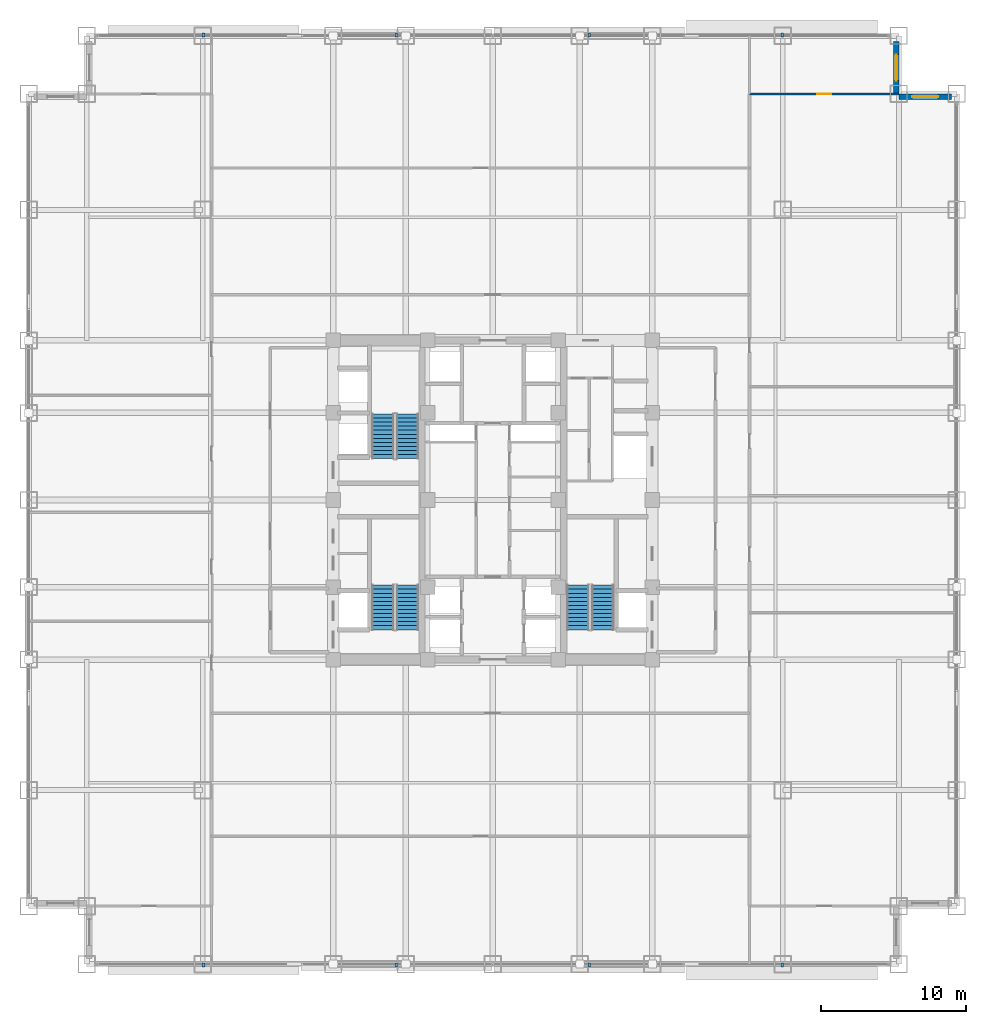
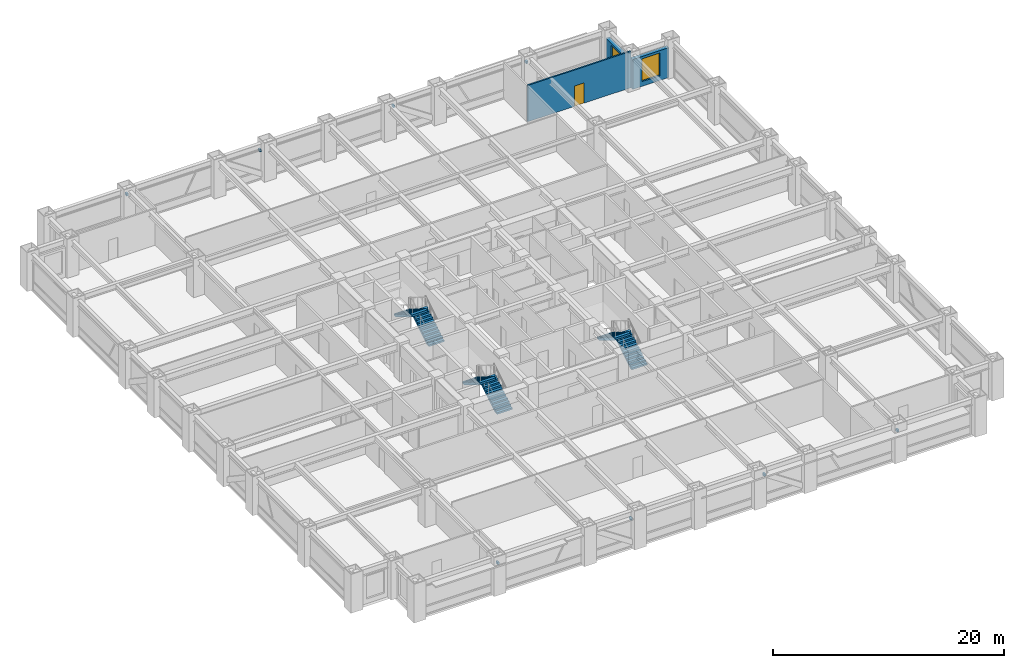
# One storey, part 27 of 32: 8 discrete accessories, 6 stair flights, 3 walls, 2 windows, 1 door, 3 openings, 3 elements without a shape of their own.
"""IFC4 building model written with IfcOpenShell, lengths in metres."""

from ifc_helpers import new_model, si_unit, direction, frame, frame_2d, origin, origin_2d, place, context, subcontext, project, spatial, polyline, rectangle, outline, extrude, source, transform, mapped, material, layer, layer_set, type_object, element, fill, aggregate, save


model = new_model("IFC4")

# Units and contexts
model_context = context("Model", 3, precision=1e-05, world=origin(), true_north=direction((0.0, 1.0)))
body_context = subcontext(model_context, "Body", "Model", "MODEL_VIEW")
ifc_project = project(units=[si_unit("LENGTHUNIT", "METRE"), si_unit("AREAUNIT", "SQUARE_METRE"), si_unit("VOLUMEUNIT", "CUBIC_METRE"), si_unit("PLANEANGLEUNIT", "RADIAN"), si_unit("MASSUNIT", "GRAM", prefix="KILO")], contexts=[model_context])

# Site, building, storey
site_placement = place(None, origin())
site = spatial("IfcSite", under=ifc_project, at=site_placement, CompositionType="ELEMENT")
building_placement = place(site_placement, origin())
building = spatial("IfcBuilding", under=site, at=building_placement, Name="Khorayat Bourse Tower", CompositionType="ELEMENT")
storey_placement = place(building_placement, frame((0.0, 0.0, 91.39990234375)))
storey = spatial("IfcBuildingStorey", under=building, at=storey_placement, Name="L20", CompositionType="ELEMENT", Elevation=91.39990234375)

# Wall, opening, window
ifc_material_1 = material(Name="Precast concrete C45/55", Category="concrete")
ifc_layer_1 = layer(ifc_material_1, 0.3798828125)
ifc_layer_set_1 = layer_set([ifc_layer_1], Name="Precast concrete C45/55")
wall_type_1 = type_object("IfcWallType", Name="WAL-EXT-STONE-380", PredefinedType="STANDARD", material=ifc_layer_set_1)
shared_shape_1 = source(origin(), body_context, "Body", "SweptSolid", [
    extrude(rectangle(XDim=3.6201171875, YDim=0.3798828125, at=frame_2d((1.81005859375, 0.0))), origin(), (0.0, 0.0, 1.0), 3.14501953125),
])
wall_1_placement = place(storey_placement, frame((28.0, 27.81005859375, 0.0), z_axis=(0.0, 0.0, 1.0), x_axis=(1.0, 0.0, 0.0)))
wall_1 = element("IfcWall", 1, at=wall_1_placement, inside=storey, type_object=wall_type_1, Name="L20 Re-Entrant Notch Limestone Wall NE-H", PredefinedType="STANDARD", context=body_context, shape_type="MappedRepresentation", body=[
    mapped(shared_shape_1, transform((0.0, 0.0, 0.0), scale=1.0)),
])
shared_shape_2 = source(origin(), body_context, "Body", "SweptSolid", [
    extrude(rectangle(XDim=1.800048828125, YDim=2.39990234375, at=frame_2d((0.89990234375, 1.199951171875))), frame((0.0, 0.199951171875, 0.0), z_axis=(0.0, -1.0, 0.0), x_axis=(1.0, 0.0, 0.0)), (0.0, 0.0, 1.0), 0.39990234375),
])
opening_1_placement = place(wall_1_placement, frame((0.909912109375, 0.0, 0.5)))
opening_1 = element("IfcOpeningElement", 2, at=opening_1_placement, cuts=wall_1, Name="Opening WN-04", PredefinedType="OPENING", context=body_context, shape_type="MappedRepresentation", body=[
    mapped(shared_shape_2, transform((0.0, 0.0, 0.0), scale=1.0)),
])
ifc_material_2 = material(Name="Low-E acoustic laminated double glazing", Category="glass")
window_type = type_object("IfcWindowType", Name="WIN-NOTCH-1800x2400", PartitioningType="SINGLE_PANEL", PredefinedType="WINDOW", material=ifc_material_2)
shared_shape_3 = source(origin(), body_context, "Body", "SweptSolid", [
    extrude(rectangle(XDim=1.800048828125, YDim=2.39990234375, at=frame_2d((0.89990234375, 1.199951171875))), frame((0.0, 0.030029296875, 0.0), z_axis=(0.0, -1.0, 0.0), x_axis=(1.0, 0.0, 0.0)), (0.0, 0.0, 1.0), 0.06005859375),
])
window_1_placement = place(opening_1_placement, origin())
window_1 = element("IfcWindow", 3, at=window_1_placement, inside=storey, type_object=window_type, Name="L20 Facade Window 1", OverallHeight=2.39990234375, OverallWidth=1.800048828125, PartitioningType="SINGLE_PANEL", PredefinedType="WINDOW", context=body_context, shape_type="MappedRepresentation", body=[
    mapped(shared_shape_3, transform((0.0, 0.0, 0.0), scale=1.0)),
])
fill(opening_1, window_1)

wall_2_placement = place(storey_placement, frame((27.81005859375, 28.0, 0.0), z_axis=(0.0, 0.0, 1.0), x_axis=(0.0, 1.0, 0.0)))
wall_2 = element("IfcWall", 4, at=wall_2_placement, inside=storey, type_object=wall_type_1, Name="L20 Re-Entrant Notch Limestone Wall NE-V", PredefinedType="STANDARD", context=body_context, shape_type="MappedRepresentation", body=[
    mapped(shared_shape_1, transform((0.0, 0.0, 0.0), scale=1.0)),
])
opening_2_placement = place(wall_2_placement, frame((0.909912109375, 0.0, 0.5)))
opening_2 = element("IfcOpeningElement", 5, at=opening_2_placement, cuts=wall_2, Name="Opening WN-04", PredefinedType="OPENING", context=body_context, shape_type="MappedRepresentation", body=[
    mapped(shared_shape_2, transform((0.0, 0.0, 0.0), scale=1.0)),
])
window_2_placement = place(opening_2_placement, origin())
window_2 = element("IfcWindow", 6, at=window_2_placement, inside=storey, type_object=window_type, Name="L20 Facade Window 1", OverallHeight=2.39990234375, OverallWidth=1.800048828125, PartitioningType="SINGLE_PANEL", PredefinedType="WINDOW", context=body_context, shape_type="MappedRepresentation", body=[
    mapped(shared_shape_3, transform((0.0, 0.0, 0.0), scale=1.0)),
])
fill(opening_2, window_2)

# Wall, opening, door
ifc_material_3 = material(Name="Gypsum plasterboard twin-frame partition")
ifc_layer_2 = layer(ifc_material_3, 0.14990234375)
ifc_layer_set_2 = layer_set([ifc_layer_2], Name="Gypsum plasterboard twin-frame partition")
wall_type_2 = type_object("IfcWallType", Name="WAL-PART-SUITE-150", PredefinedType="PARTITIONING", material=ifc_layer_set_2)
shared_shape_4 = source(origin(), body_context, "Body", "SweptSolid", [
    extrude(rectangle(XDim=10.300048828125, YDim=0.14990234375, at=frame_2d((5.14990234375, 0.0))), origin(), (0.0, 0.0, 1.0), 3.840087890625),
])
wall_3_placement = place(storey_placement, frame((17.699951171875, 28.0, 0.0), z_axis=(0.0, 0.0, 1.0), x_axis=(1.0, 0.0, 0.0)))
wall_3 = element("IfcWall", 7, at=wall_3_placement, inside=storey, type_object=wall_type_2, Name="L20 Partition WAL-L20-CNE", PredefinedType="PARTITIONING", context=body_context, shape_type="MappedRepresentation", body=[
    mapped(shared_shape_4, transform((0.0, 0.0, 0.0), scale=1.0)),
])
shared_shape_5 = source(origin(), body_context, "Body", "SweptSolid", [
    extrude(rectangle(XDim=0.949951171875, YDim=2.14990234375, at=frame_2d((0.47509765625, 1.074951171875))), frame((0.0, 0.0849609375, 0.0), z_axis=(0.0, -1.0, 0.0), x_axis=(1.0, 0.0, 0.0)), (0.0, 0.0, 1.0), 0.169921875),
])
opening_3_placement = place(wall_3_placement, frame((4.675048828125, 0.0, 0.0)))
opening_3 = element("IfcOpeningElement", 8, at=opening_3_placement, cuts=wall_3, Name="Opening DI-05", PredefinedType="OPENING", context=body_context, shape_type="MappedRepresentation", body=[
    mapped(shared_shape_5, transform((0.0, 0.0, 0.0), scale=1.0)),
])
ifc_material_4 = material(Name="Acoustic oak veneer office door")
door_type = type_object("IfcDoorType", Name="DR-INT-OFFICE-950", OperationType="NOTDEFINED", PredefinedType="DOOR", material=ifc_material_4)
shared_shape_6 = source(origin(), body_context, "Body", "SweptSolid", [
    extrude(rectangle(XDim=0.949951171875, YDim=2.14990234375, at=frame_2d((0.47509765625, 1.074951171875))), frame((0.0, 0.02490234375, 0.0), z_axis=(0.0, -1.0, 0.0), x_axis=(1.0, 0.0, 0.0)), (0.0, 0.0, 1.0), 0.050048828125),
])
door_placement = place(opening_3_placement, origin())
door = element("IfcDoor", 9, at=door_placement, inside=storey, type_object=door_type, Name="L20 North-East Corner Lounge Door", OperationType="SINGLE_SWING_LEFT", OverallHeight=2.14990234375, OverallWidth=0.949951171875, PredefinedType="DOOR", context=body_context, shape_type="MappedRepresentation", body=[
    mapped(shared_shape_6, transform((0.0, 0.0, 0.0), scale=1.0)),
])
fill(opening_3, door)

# Stair, stair flights
ifc_material_5 = material(Name="Concrete C40/50", Category="concrete")
stair_type = type_object("IfcStairType", Name="STR-CORE-1550", PredefinedType="HALF_TURN_STAIR", material=ifc_material_5)
stair_1_placement = place(storey_placement, origin())
stair_1 = element("IfcStair", 10, at=stair_1_placement, inside=storey, type_object=stair_type, Name="L20 Exit Stair ST-1", PredefinedType="HALF_TURN_STAIR")
stair_flight_type = type_object("IfcStairFlightType", Name="FLT-CORE-1550", PredefinedType="STRAIGHT", material=ifc_material_5)
shared_shape_7 = source(origin(), body_context, "Body", "SweptSolid", [
    extrude(outline(polyline([(0.0, 0.0), (0.0, 0.1708984375), (0.280029296875, 0.1708984375), (0.280029296875, 0.341552734375), (0.56005859375, 0.341552734375), (0.56005859375, 0.512451171875), (0.840087890625, 0.512451171875), (0.840087890625, 0.683349609375), (1.1201171875, 0.683349609375), (1.1201171875, 0.854248046875), (1.39990234375, 0.854248046875), (1.39990234375, 1.02490234375), (1.679931640625, 1.02490234375), (1.679931640625, 1.19580078125), (1.9599609375, 1.19580078125), (1.9599609375, 1.36669921875), (2.239990234375, 1.36669921875), (2.239990234375, 1.53759765625), (2.52001953125, 1.53759765625), (2.52001953125, 1.708251953125), (2.800048828125, 1.708251953125), (2.800048828125, 1.879150390625), (3.080078125, 1.879150390625), (3.080078125, 2.050048828125), (3.080078125, 1.66845703125), (0.345458984375, 0.0), (0.0, 0.0)])), frame((0.0, 0.77490234375, 0.0), z_axis=(0.0, -1.0, 0.0), x_axis=(1.0, 0.0, 0.0)), (0.0, 0.0, 1.0), 1.550048828125),
])
stair_flight_1_placement = place(storey_placement, frame((-5.875, -8.949951171875, 0.0), z_axis=(0.0, 0.0, 1.0), x_axis=(0.0, 1.0, 0.0)))
stair_flight_1 = element("IfcStairFlight", 11, at=stair_flight_1_placement, type_object=stair_flight_type, Name="ST-1 flight 1", NumberOfRisers=12, NumberOfTreads=11, PredefinedType="STRAIGHT", RiserHeight=0.170833333, TreadLength=0.28, context=body_context, shape_type="MappedRepresentation", body=[
    mapped(shared_shape_7, transform((0.0, 0.0, 0.0), scale=1.0)),
])
stair_flight_2_placement = place(storey_placement, frame((-7.574951171875, -5.8701171875, 2.050048828125), z_axis=(0.0, 0.0, 1.0), x_axis=(0.0, -1.0, 0.0)))
stair_flight_2 = element("IfcStairFlight", 12, at=stair_flight_2_placement, type_object=stair_flight_type, Name="ST-1 flight 2", NumberOfRisers=12, NumberOfTreads=11, PredefinedType="STRAIGHT", RiserHeight=0.170833333, TreadLength=0.28, context=body_context, shape_type="MappedRepresentation", body=[
    mapped(shared_shape_7, transform((0.0, 0.0, 0.0), scale=1.0)),
])
aggregate(stair_1, [stair_flight_1, stair_flight_2])

stair_2_placement = place(storey_placement, origin())
stair_2 = element("IfcStair", 13, at=stair_2_placement, inside=storey, type_object=stair_type, Name="L20 Exit Stair ST-2", PredefinedType="HALF_TURN_STAIR")
stair_flight_3_placement = place(storey_placement, frame((-5.875, 2.85009765625, 0.0), z_axis=(0.0, 0.0, 1.0), x_axis=(0.0, 1.0, 0.0)))
stair_flight_3 = element("IfcStairFlight", 14, at=stair_flight_3_placement, type_object=stair_flight_type, Name="ST-2 flight 1", NumberOfRisers=12, NumberOfTreads=11, PredefinedType="STRAIGHT", RiserHeight=0.170833333, TreadLength=0.28, context=body_context, shape_type="MappedRepresentation", body=[
    mapped(shared_shape_7, transform((0.0, 0.0, 0.0), scale=1.0)),
])
stair_flight_4_placement = place(storey_placement, frame((-7.574951171875, 5.929931640625, 2.050048828125), z_axis=(0.0, 0.0, 1.0), x_axis=(0.0, -1.0, 0.0)))
stair_flight_4 = element("IfcStairFlight", 15, at=stair_flight_4_placement, type_object=stair_flight_type, Name="ST-2 flight 2", NumberOfRisers=12, NumberOfTreads=11, PredefinedType="STRAIGHT", RiserHeight=0.170833333, TreadLength=0.28, context=body_context, shape_type="MappedRepresentation", body=[
    mapped(shared_shape_7, transform((0.0, 0.0, 0.0), scale=1.0)),
])
aggregate(stair_2, [stair_flight_3, stair_flight_4])

stair_3_placement = place(storey_placement, origin())
stair_3 = element("IfcStair", 16, at=stair_3_placement, inside=storey, type_object=stair_type, Name="L20 Exit Stair ST-3", PredefinedType="HALF_TURN_STAIR")
stair_flight_5_placement = place(storey_placement, frame((7.574951171875, -8.949951171875, 0.0), z_axis=(0.0, 0.0, 1.0), x_axis=(0.0, 1.0, 0.0)))
stair_flight_5 = element("IfcStairFlight", 17, at=stair_flight_5_placement, type_object=stair_flight_type, Name="ST-3 flight 1", NumberOfRisers=12, NumberOfTreads=11, PredefinedType="STRAIGHT", RiserHeight=0.170833333, TreadLength=0.28, context=body_context, shape_type="MappedRepresentation", body=[
    mapped(shared_shape_7, transform((0.0, 0.0, 0.0), scale=1.0)),
])
stair_flight_6_placement = place(storey_placement, frame((5.875, -5.8701171875, 2.050048828125), z_axis=(0.0, 0.0, 1.0), x_axis=(0.0, -1.0, 0.0)))
stair_flight_6 = element("IfcStairFlight", 18, at=stair_flight_6_placement, type_object=stair_flight_type, Name="ST-3 flight 2", NumberOfRisers=12, NumberOfTreads=11, PredefinedType="STRAIGHT", RiserHeight=0.170833333, TreadLength=0.28, context=body_context, shape_type="MappedRepresentation", body=[
    mapped(shared_shape_7, transform((0.0, 0.0, 0.0), scale=1.0)),
])
aggregate(stair_3, [stair_flight_5, stair_flight_6])

# Discrete accessories
ifc_material_6 = material(Name="Steel EN 10025-2 S355J2", Category="steel")
discrete_accessory_type = type_object("IfcDiscreteAccessoryType", Name="ACC-SHADE-BRACKET", PredefinedType="BRACKET", material=ifc_material_6)
shared_shape_8 = source(origin(), body_context, "Body", "SweptSolid", [
    extrude(rectangle(XDim=0.179931640625, YDim=0.300048828125, at=origin_2d()), origin(), (0.0, 0.0, 1.0), 0.239990234375),
])
for number, where, z_axis, x_axis, name in (
    (19, (-19.949951171875, -32.06005859375, 2.93994140625), (0.0, 0.0, 1.0), (1.0, 0.0, 0.0), "L20 Sunshade Support Bracket S-1"),
    (20, (-6.64990234375, -32.06005859375, 2.93994140625), (0.0, 0.0, 1.0), (1.0, 0.0, 0.0), "L20 Sunshade Support Bracket S-2"),
    (21, (6.64990234375, -32.06005859375, 2.93994140625), (0.0, 0.0, 1.0), (1.0, 0.0, 0.0), "L20 Sunshade Support Bracket S-3"),
    (22, (19.949951171875, -32.06005859375, 2.93994140625), (0.0, 0.0, 1.0), (1.0, 0.0, 0.0), "L20 Sunshade Support Bracket S-4"),
    (23, (-19.949951171875, 32.06005859375, 2.93994140625), (0.0, 0.0, 1.0), (1.0, 0.0, 0.0), "L20 Sunshade Support Bracket N-1"),
    (24, (-6.64990234375, 32.06005859375, 2.93994140625), (0.0, 0.0, 1.0), (1.0, 0.0, 0.0), "L20 Sunshade Support Bracket N-2"),
    (25, (6.64990234375, 32.06005859375, 2.93994140625), (0.0, 0.0, 1.0), (1.0, 0.0, 0.0), "L20 Sunshade Support Bracket N-3"),
    (26, (19.949951171875, 32.06005859375, 2.93994140625), (0.0, 0.0, 1.0), (1.0, 0.0, 0.0), "L20 Sunshade Support Bracket N-4"),
):
    element("IfcDiscreteAccessory", number, at=place(storey_placement, frame(where, z_axis=z_axis, x_axis=x_axis)), inside=storey, type_object=discrete_accessory_type, Name=name, PredefinedType="BRACKET", context=body_context, shape_type="MappedRepresentation", body=[
        mapped(shared_shape_8, transform((0.0, 0.0, 0.0), scale=1.0)),
    ])

save(model, "model.ifc")
